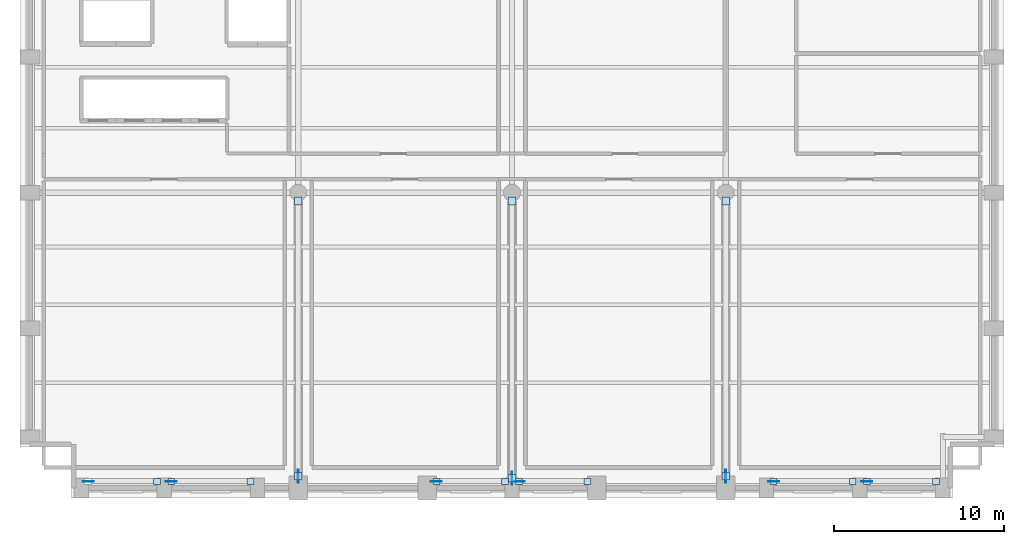
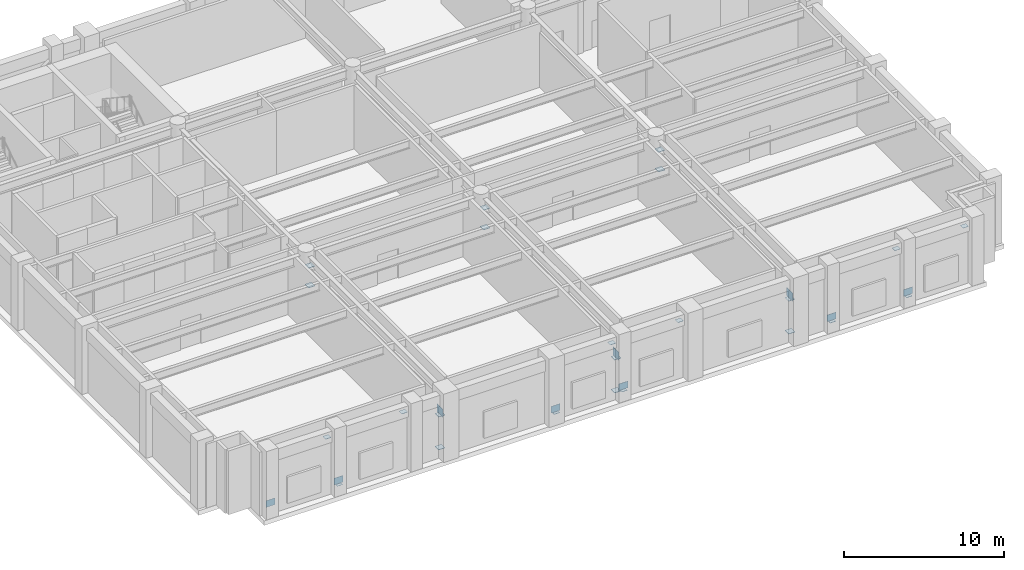
# One storey, part 3 of 11: 32 plates.
"""IFC4 building model written with IfcOpenShell, lengths in metres."""

from ifc_helpers import new_model, si_unit, direction, frame, origin, origin_2d, place, context, subcontext, project, spatial, rectangle, extrude, material, layer, layer_set, type_object, element, save


model = new_model("IFC4")

# Units and contexts
model_context = context("Model", 3, precision=1e-05, world=origin(), true_north=direction((0.0, 1.0)))
body_context = subcontext(model_context, "Body", "Model", "MODEL_VIEW")
ifc_project = project(units=[si_unit("LENGTHUNIT", "METRE"), si_unit("AREAUNIT", "SQUARE_METRE"), si_unit("VOLUMEUNIT", "CUBIC_METRE"), si_unit("PLANEANGLEUNIT", "RADIAN"), si_unit("MASSUNIT", "GRAM", prefix="KILO")], contexts=[model_context])

# Site, building, storey
site_placement = place(None, origin())
site = spatial("IfcSite", under=ifc_project, at=site_placement, CompositionType="ELEMENT")
building_placement = place(site_placement, origin())
building = spatial("IfcBuilding", under=site, at=building_placement, Name="Sulina Concourse Tower", CompositionType="ELEMENT")
storey_placement = place(building_placement, frame((0.0, 0.0, 82.60009765625)))
storey = spatial("IfcBuildingStorey", under=building, at=storey_placement, Name="L20", CompositionType="ELEMENT", Elevation=82.60009765625)

# Plates
ifc_material_1 = material(Name="Steel S355", Category="steel")
ifc_layer_1 = layer(ifc_material_1, 0.02490234375)
ifc_layer_set_1 = layer_set([ifc_layer_1], Name="Steel S355")
plate_type_1 = type_object("IfcPlateType", Name="Belt Truss Node Gusset Plate 25mm", PredefinedType="USERDEFINED", material=ifc_layer_set_1)
for number, where, z_axis, x_axis, name in (
    (1, (4.014892578125, 0.97998046875, 0.199951171875), (0.0, 0.0, 1.0), (1.0, 0.0, 0.0), "BLT-S1-L20 node gusset plate"),
    (2, (8.9150390625, 0.97998046875, 0.199951171875), (0.0, 0.0, 1.0), (1.0, 0.0, 0.0), "BLT-S2-L20 node gusset plate"),
    (3, (24.5400390625, 0.97998046875, 0.199951171875), (0.0, 0.0, 1.0), (1.0, 0.0, 0.0), "BLT-S3-L20 node gusset plate"),
    (4, (29.4150390625, 0.97998046875, 0.199951171875), (0.0, 0.0, 1.0), (1.0, 0.0, 0.0), "BLT-S4-L20 node gusset plate"),
    (5, (44.4150390625, 0.97998046875, 0.199951171875), (0.0, 0.0, 1.0), (1.0, 0.0, 0.0), "BLT-S5-L20 node gusset plate"),
    (6, (49.9150390625, 0.97998046875, 0.199951171875), (0.0, 0.0, 1.0), (1.0, 0.0, 0.0), "BLT-S6-L20 node gusset plate"),
):
    element("IfcPlate", number, at=place(storey_placement, frame(where, z_axis=z_axis, x_axis=x_axis)), inside=storey, type_object=plate_type_1, Name=name, ObjectType="GUSSET_PLATE", PredefinedType="USERDEFINED", context=body_context, shape_type="SweptSolid", body=[
        extrude(rectangle(XDim=0.64990234375, YDim=0.02490234375, at=origin_2d()), origin(), (0.0, 0.0, 1.0), 0.5),
    ])
ifc_material_2 = material(Name="Steel S355", Category="steel")
ifc_layer_2 = layer(ifc_material_2, 0.028076171875)
ifc_layer_set_2 = layer_set([ifc_layer_2], Name="Steel S355")
plate_type_2 = type_object("IfcPlateType", Name="Medium Hollow Section End-Cap Plate 28mm", PredefinedType="USERDEFINED", material=ifc_layer_set_2)
for number, where, z_axis, x_axis, name in (
    (7, (16.39990234375, 1.2900390625, 2.6357421875), (0.0, 0.0, 1.0), (1.0, 0.0, 0.0), "OUT-ST-W1-L20 end cap plate 1"),
    (8, (16.39990234375, 17.510009765625, 2.6357421875), (0.0, 0.0, 1.0), (1.0, 0.0, 0.0), "OUT-ST-W1-L20 end cap plate 2"),
    (9, (16.39990234375, 1.2900390625, 0.1357421875), (0.0, 0.0, 1.0), (1.0, 0.0, 0.0), "OUT-DG-W1-L20 end cap plate 1"),
    (10, (16.39990234375, 17.510009765625, 4.1357421875), (0.0, 0.0, 1.0), (1.0, 0.0, 0.0), "OUT-DG-W1-L20 end cap plate 2"),
    (11, (29.0, 1.1650390625, 2.6357421875), (0.0, 0.0, 1.0), (1.0, 0.0, 0.0), "OUT-ST-M1-L20 end cap plate 1"),
    (12, (29.0, 17.510009765625, 2.6357421875), (0.0, 0.0, 1.0), (1.0, 0.0, 0.0), "OUT-ST-M1-L20 end cap plate 2"),
    (13, (29.0, 1.1650390625, 0.1357421875), (0.0, 0.0, 1.0), (1.0, 0.0, 0.0), "OUT-DG-M1-L20 end cap plate 1"),
    (14, (29.0, 17.510009765625, 4.1357421875), (0.0, 0.0, 1.0), (1.0, 0.0, 0.0), "OUT-DG-M1-L20 end cap plate 2"),
    (15, (41.60009765625, 1.2900390625, 2.6357421875), (0.0, 0.0, 1.0), (1.0, 0.0, 0.0), "OUT-ST-E1-L20 end cap plate 1"),
    (16, (41.60009765625, 17.510009765625, 2.6357421875), (0.0, 0.0, 1.0), (1.0, 0.0, 0.0), "OUT-ST-E1-L20 end cap plate 2"),
    (17, (41.60009765625, 1.2900390625, 0.1357421875), (0.0, 0.0, 1.0), (1.0, 0.0, 0.0), "OUT-DG-E1-L20 end cap plate 1"),
    (18, (41.60009765625, 17.510009765625, 4.1357421875), (0.0, 0.0, 1.0), (1.0, 0.0, 0.0), "OUT-DG-E1-L20 end cap plate 2"),
):
    element("IfcPlate", number, at=place(storey_placement, frame(where, z_axis=z_axis, x_axis=x_axis)), inside=storey, type_object=plate_type_2, Name=name, ObjectType="CAP_PLATE", PredefinedType="USERDEFINED", context=body_context, shape_type="SweptSolid", body=[
        extrude(rectangle(XDim=0.4599609375, YDim=0.4599609375, at=origin_2d()), origin(), (0.0, 0.0, 1.0), 0.028076171875),
    ])
ifc_material_3 = material(Name="Steel S355", Category="steel")
ifc_layer_3 = layer(ifc_material_3, 0.031982421875)
ifc_layer_set_3 = layer_set([ifc_layer_3], Name="Steel S355")
plate_type_3 = type_object("IfcPlateType", Name="Outrigger Truss Gusset Plate 32mm", PredefinedType="USERDEFINED", material=ifc_layer_set_3)
for number, where, z_axis, x_axis, name in (
    (19, (16.39990234375, 1.2900390625, 2.64990234375), (0.0, 0.0, 1.0), (1.0, 0.0, 0.0), "OUT-ST-W1-L20 node gusset plate"),
    (20, (29.0, 1.1650390625, 2.64990234375), (0.0, 0.0, 1.0), (1.0, 0.0, 0.0), "OUT-ST-M1-L20 node gusset plate"),
    (21, (41.60009765625, 1.2900390625, 2.64990234375), (0.0, 0.0, 1.0), (1.0, 0.0, 0.0), "OUT-ST-E1-L20 node gusset plate"),
):
    element("IfcPlate", number, at=place(storey_placement, frame(where, z_axis=z_axis, x_axis=x_axis)), inside=storey, type_object=plate_type_3, Name=name, ObjectType="GUSSET_PLATE", PredefinedType="USERDEFINED", context=body_context, shape_type="SweptSolid", body=[
        extrude(rectangle(XDim=0.031982421875, YDim=0.75, at=origin_2d()), origin(), (0.0, 0.0, 1.0), 0.60009765625),
    ])
ifc_material_4 = material(Name="Steel S355", Category="steel")
ifc_layer_4 = layer(ifc_material_4, 0.02001953125)
ifc_layer_set_4 = layer_set([ifc_layer_4], Name="Steel S355")
plate_type_4 = type_object("IfcPlateType", Name="Upper Hollow Brace End-Cap Plate 20mm", PredefinedType="USERDEFINED", material=ifc_layer_set_4)
for number, where, z_axis, x_axis, name in (
    (22, (8.0849609375, 0.97998046875, 4.010009765625), (0.0, 0.0, 1.0), (1.0, 0.0, 0.0), "BLT-S1-L20 end cap plate 2"),
    (23, (8.9150390625, 0.97998046875, 0.139892578125), (0.0, 0.0, 1.0), (1.0, 0.0, 0.0), "BLT-S2-L20 end cap plate 1"),
    (24, (13.5849609375, 0.97998046875, 4.010009765625), (0.0, 0.0, 1.0), (1.0, 0.0, 0.0), "BLT-S2-L20 end cap plate 2"),
    (25, (24.5400390625, 0.97998046875, 0.139892578125), (0.0, 0.0, 1.0), (1.0, 0.0, 0.0), "BLT-S3-L20 end cap plate 1"),
    (26, (28.5849609375, 0.97998046875, 4.010009765625), (0.0, 0.0, 1.0), (1.0, 0.0, 0.0), "BLT-S3-L20 end cap plate 2"),
    (27, (29.4150390625, 0.97998046875, 0.139892578125), (0.0, 0.0, 1.0), (1.0, 0.0, 0.0), "BLT-S4-L20 end cap plate 1"),
    (28, (33.4599609375, 0.97998046875, 4.010009765625), (0.0, 0.0, 1.0), (1.0, 0.0, 0.0), "BLT-S4-L20 end cap plate 2"),
    (29, (44.4150390625, 0.97998046875, 0.139892578125), (0.0, 0.0, 1.0), (1.0, 0.0, 0.0), "BLT-S5-L20 end cap plate 1"),
    (30, (49.0849609375, 0.97998046875, 4.010009765625), (0.0, 0.0, 1.0), (1.0, 0.0, 0.0), "BLT-S5-L20 end cap plate 2"),
    (31, (49.9150390625, 0.97998046875, 0.139892578125), (0.0, 0.0, 1.0), (1.0, 0.0, 0.0), "BLT-S6-L20 end cap plate 1"),
    (32, (53.985107421875, 0.97998046875, 4.010009765625), (0.0, 0.0, 1.0), (1.0, 0.0, 0.0), "BLT-S6-L20 end cap plate 2"),
):
    element("IfcPlate", number, at=place(storey_placement, frame(where, z_axis=z_axis, x_axis=x_axis)), inside=storey, type_object=plate_type_4, Name=name, ObjectType="CAP_PLATE", PredefinedType="USERDEFINED", context=body_context, shape_type="SweptSolid", body=[
        extrude(rectangle(XDim=0.409912109375, YDim=0.360107421875, at=origin_2d()), origin(), (0.0, 0.0, 1.0), 0.02001953125),
    ])

save(model, "model.ifc")
